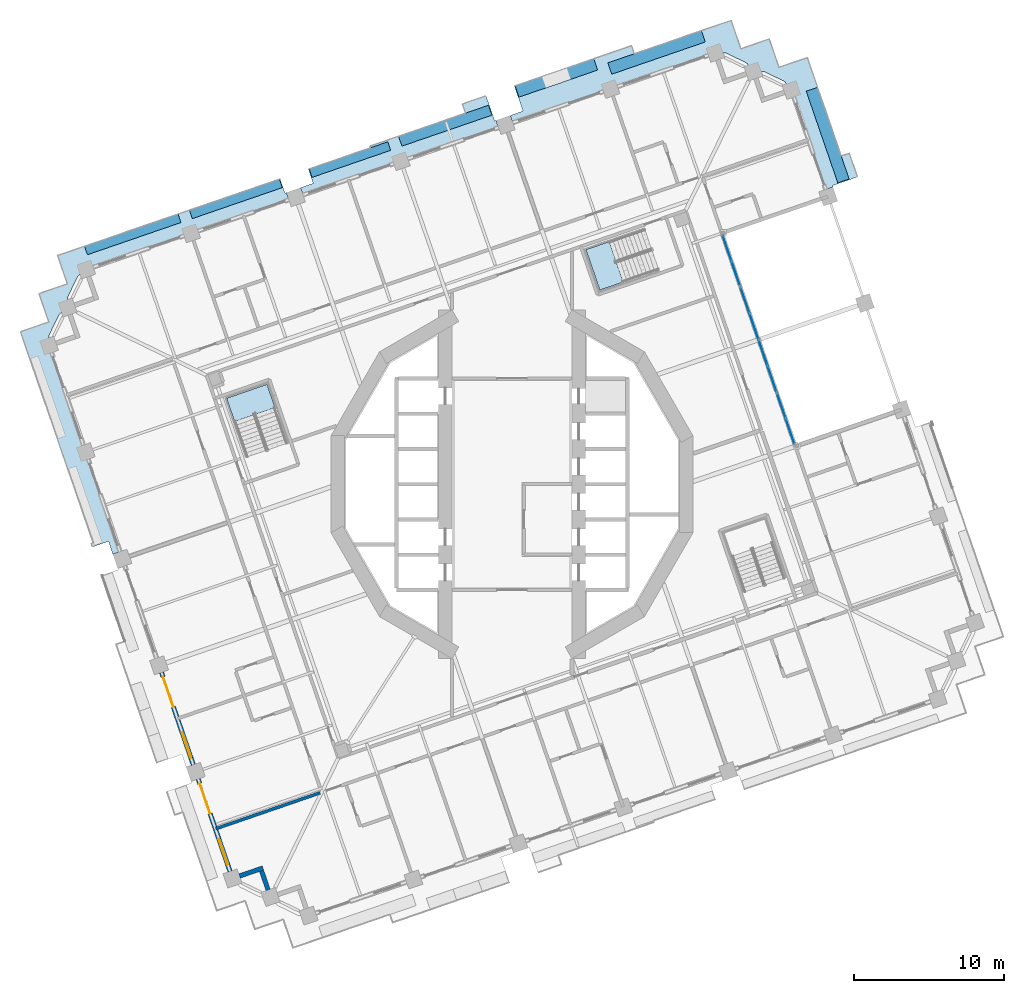
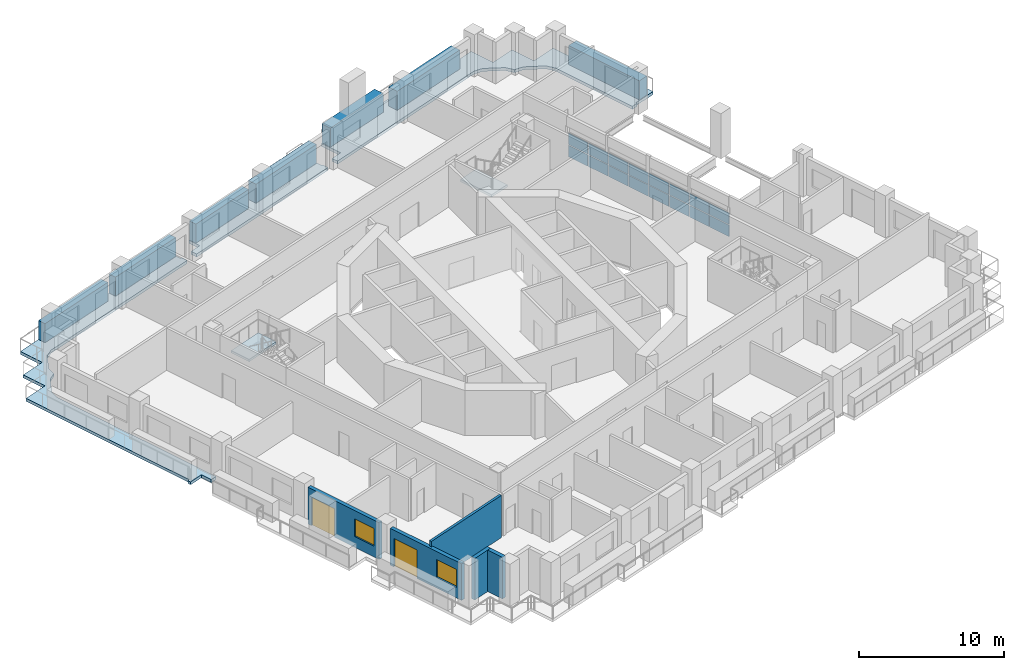
# One storey, part 6 of 19: 23 plates, 5 slabs, 5 walls, 2 doors, 2 windows, 4 openings, 3 elements without a shape of their own.
"""IFC4 building model written with IfcOpenShell, lengths in metres."""

import ifcopenshell
import ifcopenshell.guid

model = None  # the IFC model being written
_history = None  # IfcOwnerHistory: only IFC2X3 demands one
_inside = {}  # id of a spatial element -> (the spatial element, [elements in it])
_under = {}  # id of a project, library or spatial element -> (it, [spatial elements below it])
_declared = {}  # id of a project -> (the project, [libraries it declares])
_typed = {}  # id of a type object -> (the type object, [elements of that type])
_made_of = {}  # id of a material, layer set ... -> (it, [elements and type objects made of it])


def new_model(schema):
    """Start an empty IFC model of exactly this schema.

    Asked for "IFC4X3", IfcOpenShell would pick the latest addendum, in which some entities
    have other attributes; the version numbers below select the first issue.
    IFC2X3 requires an IfcOwnerHistory on every rooted entity: one is made here for all.
    """
    global model, _history
    if schema == "IFC4X3":
        model = ifcopenshell.file(schema_version=(4, 3, 0, 0))
    else:
        model = ifcopenshell.file(schema=schema)
    _inside.clear()
    _under.clear()
    _declared.clear()
    _typed.clear()
    _made_of.clear()
    _history = None
    if model.schema == "IFC2X3":
        org = make("IfcOrganization", Name="unknown")
        user = make(
            "IfcPersonAndOrganization",
            ThePerson=make("IfcPerson", FamilyName="unknown"),
            TheOrganization=org,
        )
        app = make(
            "IfcApplication",
            ApplicationDeveloper=org,
            Version="unknown",
            ApplicationFullName="unknown",
            ApplicationIdentifier="unknown",
        )
        _history = make(
            "IfcOwnerHistory",
            OwningUser=user,
            OwningApplication=app,
            ChangeAction="ADDED",
            CreationDate=0,
        )
    return model


def make(cls, **values):
    """One entity of the class cls with the attributes given. An attribute that is None is left unset."""
    return model.create_entity(
        cls, **{name: value for name, value in values.items() if value is not None}
    )


def rooted(cls, **values):
    """An entity with a GlobalId (a new one), such as an element, a storey or a relation."""
    return make(cls, GlobalId=ifcopenshell.guid.new(), OwnerHistory=_history, **values)


def si_unit(unit_type, name, prefix=None):
    """IfcSIUnit, for example si_unit("LENGTHUNIT", "METRE", prefix="MILLI")."""
    return make("IfcSIUnit", UnitType=unit_type, Prefix=prefix, Name=name)


def assignment(units):
    """IfcUnitAssignment: the units of a project."""
    return None if units is None else make("IfcUnitAssignment", Units=units)


def point(xyz):
    """IfcCartesianPoint."""
    return None if xyz is None else make("IfcCartesianPoint", Coordinates=xyz)


def direction(xyz):
    """IfcDirection."""
    return None if xyz is None else make("IfcDirection", DirectionRatios=xyz)


def frame(location, z_axis=None, x_axis=None):
    """IfcAxis2Placement3D, a coordinate frame: its origin and axes. An axis left out is left unset."""
    return make(
        "IfcAxis2Placement3D",
        Location=point(location),
        Axis=direction(z_axis),
        RefDirection=direction(x_axis),
    )


def frame_2d(location, x_axis=None):
    """IfcAxis2Placement2D, a coordinate frame in the plane: its origin and x axis."""
    return make(
        "IfcAxis2Placement2D", Location=point(location), RefDirection=direction(x_axis)
    )


def origin():
    """The frame at (0, 0, 0) with its axes left unset."""
    return frame((0.0, 0.0, 0.0))


def origin_2d():
    """The frame at (0, 0) in the plane with its x axis left unset."""
    return frame_2d((0.0, 0.0))


def place(relative_to, where):
    """IfcLocalPlacement: puts the frame where relative to a parent placement (None: the world)."""
    return make(
        "IfcLocalPlacement", PlacementRelTo=relative_to, RelativePlacement=where
    )


def context(
    kind, dimensions, precision=None, world=None, true_north=None, identifier=None
):
    """IfcGeometricRepresentationContext, for example the 3D "Model" context."""
    return make(
        "IfcGeometricRepresentationContext",
        ContextIdentifier=identifier,
        ContextType=kind,
        CoordinateSpaceDimension=dimensions,
        Precision=precision,
        WorldCoordinateSystem=world,
        TrueNorth=true_north,
    )


def subcontext(parent, identifier, kind, view, scale=None):
    """IfcGeometricRepresentationSubContext, for example "Body" below "Model"."""
    return make(
        "IfcGeometricRepresentationSubContext",
        ContextIdentifier=identifier,
        ContextType=kind,
        ParentContext=parent,
        TargetScale=scale,
        TargetView=view,
    )


def project(units=None, contexts=None):
    """IfcProject with its units and contexts."""
    return rooted(
        "IfcProject",
        Name="project",
        RepresentationContexts=contexts,
        UnitsInContext=assignment(units),
    )


def spatial(cls, under=None, at=None, **own):
    """A site, building, storey or space (cls), placed at a placement, below another one or the project."""
    s = rooted(cls, ObjectPlacement=at, **own)
    if under is not None:
        _under.setdefault(under.id(), (under, []))[1].append(s)
    return s


def polyline(points):
    """IfcPolyline through the points."""
    return make("IfcPolyline", Points=[point(p) for p in points])


def profile(cls, at=None, kind="AREA", **sizes):
    """A parametric profile (cls). Its sizes go by their IFC names, for example OverallWidth=200.0."""
    return make(cls, ProfileType=kind, Position=at, **sizes)


def rectangle(**sizes):
    """IfcRectangleProfileDef."""
    return profile("IfcRectangleProfileDef", **sizes)


def outline(outer, holes=None, kind="AREA"):
    """IfcArbitraryClosedProfileDef: a profile drawn as a closed curve; with holes, ...WithVoids."""
    if holes is None:
        return make("IfcArbitraryClosedProfileDef", ProfileType=kind, OuterCurve=outer)
    return make(
        "IfcArbitraryProfileDefWithVoids",
        ProfileType=kind,
        OuterCurve=outer,
        InnerCurves=holes,
    )


def extrude(swept, where, along, depth):
    """IfcExtrudedAreaSolid: the profile swept, set in the frame where, extruded along a direction by depth."""
    return make(
        "IfcExtrudedAreaSolid",
        SweptArea=swept,
        Position=where,
        ExtrudedDirection=direction(along),
        Depth=depth,
    )


def shape(context_of_items, identifier, shape_type, items):
    """IfcShapeRepresentation: the items that make up one representation, for example the "Body"."""
    return make(
        "IfcShapeRepresentation",
        ContextOfItems=context_of_items,
        RepresentationIdentifier=identifier,
        RepresentationType=shape_type,
        Items=items,
    )


def material(Name=None, Category=None):
    """IfcMaterial."""
    return make("IfcMaterial", Name=Name, Category=Category)


def layer(
    of_material, thickness, ventilated=None, Name=None, Category=None, Priority=None
):
    """IfcMaterialLayer: one layer of a wall or slab, of a material (None: an air gap)."""
    return make(
        "IfcMaterialLayer",
        Material=of_material,
        LayerThickness=thickness,
        IsVentilated=ventilated,
        Name=Name,
        Category=Category,
        Priority=Priority,
    )


def layer_set(layers, Name=None):
    """IfcMaterialLayerSet."""
    return make("IfcMaterialLayerSet", MaterialLayers=layers, LayerSetName=Name)


def made_of(thing, what):
    """Note that an element or type object is made of a material, layer set ...; save() writes the relation."""
    if what is not None:
        _made_of.setdefault(what.id(), (what, []))[1].append(thing)
    return thing


def type_object(cls, material=None, **own):
    """A type object (cls), such as IfcWallType, which elements share."""
    return made_of(rooted(cls, **own), material)


def element(
    cls,
    number,
    at=None,
    inside=None,
    cuts=None,
    type_object=None,
    material=None,
    context=None,
    identifier="Body",
    shape_type=None,
    held_by="IfcProductDefinitionShape",
    body=None,
    shapes=None,
    **own,
):
    """One element of the class cls, such as IfcWall. Its Tag is "e" and its number.

    at: its placement. inside: the storey or other place that contains it. cuts: it is an
    opening in that element (IfcRelVoidsElement). A single representation is given by context,
    identifier, shape_type and body (its items); several are given by shapes. held_by: the class
    of the entity that holds the representations. save() writes the other relations.
    """
    e = rooted(cls, Tag="e%d" % number, ObjectPlacement=at, **own)
    if body is not None:
        shapes = [shape(context, identifier, shape_type, body)]
    if shapes is not None:
        e.Representation = make(held_by, Representations=shapes)
    if inside is not None:
        _inside.setdefault(inside.id(), (inside, []))[1].append(e)
    if cuts is not None:
        rooted(
            "IfcRelVoidsElement", RelatingBuildingElement=cuts, RelatedOpeningElement=e
        )
    if type_object is not None:
        _typed.setdefault(type_object.id(), (type_object, []))[1].append(e)
    return made_of(e, material)


def fill(opening, filler):
    """IfcRelFillsElement: the door or window that sits in an opening."""
    return rooted(
        "IfcRelFillsElement",
        RelatingOpeningElement=opening,
        RelatedBuildingElement=filler,
    )


def aggregate(whole, parts):
    """IfcRelAggregates: a whole, such as a stair, and the parts it consists of."""
    return rooted("IfcRelAggregates", RelatingObject=whole, RelatedObjects=parts)


def save(model, path):
    """Write the relations noted so far, then the file.

    IfcRelAggregates (storeys below a building ...), IfcRelContainedInSpatialStructure (elements
    in a storey), IfcRelDefinesByType, IfcRelAssociatesMaterial and IfcRelDeclares: one each for
    every whole, place, type object, material and project.
    """
    for whole, parts in _under.values():
        aggregate(whole, parts)
    for where, things in _inside.values():
        rooted(
            "IfcRelContainedInSpatialStructure",
            RelatedElements=things,
            RelatingStructure=where,
        )
    for kind, things in _typed.values():
        rooted("IfcRelDefinesByType", RelatedObjects=things, RelatingType=kind)
    for what, things in _made_of.values():
        rooted("IfcRelAssociatesMaterial", RelatedObjects=things, RelatingMaterial=what)
    for by, libraries in _declared.values():
        rooted("IfcRelDeclares", RelatingContext=by, RelatedDefinitions=libraries)
    model.write(path)


model = new_model("IFC4")

# Units and contexts
model_context = context("Model", 3, precision=1e-05, world=origin(), true_north=direction((0.0, 1.0)))
body_context = subcontext(model_context, "Body", "Model", "MODEL_VIEW")
ifc_project = project(units=[si_unit("LENGTHUNIT", "METRE"), si_unit("AREAUNIT", "SQUARE_METRE"), si_unit("VOLUMEUNIT", "CUBIC_METRE"), si_unit("PLANEANGLEUNIT", "RADIAN"), si_unit("MASSUNIT", "GRAM", prefix="KILO")], contexts=[model_context])

# Site, building, storey
site_placement = place(None, origin())
site = spatial("IfcSite", under=ifc_project, at=site_placement, CompositionType="ELEMENT")
building_placement = place(site_placement, origin())
building = spatial("IfcBuilding", under=site, at=building_placement, Name="Cantera Rosa Tower", CompositionType="ELEMENT")
storey_placement = place(building_placement, frame((0.0, 0.0, 130.699951171875)))
storey = spatial("IfcBuildingStorey", under=building, at=storey_placement, Name="L27", CompositionType="ELEMENT", Elevation=130.699951171875)

# Curtain wall, plates
ifc_material_1 = material(Name="Aluminium frame with clear glass", Category="aluminium")
curtain_wall_type = type_object("IfcCurtainWallType", Name="CW1 TERRACE POCKET GLAZING", PredefinedType="NOTDEFINED", material=ifc_material_1)
curtain_wall_placement = place(storey_placement, origin())
curtain_wall = element("IfcCurtainWall", 1, at=curtain_wall_placement, inside=storey, type_object=curtain_wall_type, Name="CW1 CW1", PredefinedType="NOTDEFINED")
ifc_material_2 = material(Name="Aluminium frame with clear glass", Category="aluminium")
ifc_layer_1 = layer(ifc_material_2, 0.028076171875)
ifc_layer_set_1 = layer_set([ifc_layer_1], Name="CW-PANEL POCKET")
plate_type_1 = type_object("IfcPlateType", Name="CW-PANEL POCKET", PredefinedType="CURTAIN_PANEL", material=ifc_layer_set_1)
plate_1_placement = place(storey_placement, frame((18.558837890625, 3.539306640625, 0.06005859375), z_axis=(0.0, 0.0, 1.0), x_axis=(-0.325568154441, 0.945518575605, 0.0)))
plate_1 = element("IfcPlate", 2, at=plate_1_placement, type_object=plate_type_1, Name="CW1 panel 1.1", PredefinedType="CURTAIN_PANEL", context=body_context, shape_type="SweptSolid", body=[
    extrude(rectangle(XDim=1.7587890625, YDim=0.028076171875, at=origin_2d()), origin(), (0.0, 0.0, 1.0), 0.9619140625),
])
plate_2_placement = place(storey_placement, frame((18.558837890625, 3.539306640625, 1.08203125), z_axis=(0.0, 0.0, 1.0), x_axis=(-0.325568154441, 0.945518575605, 0.0)))
plate_2 = element("IfcPlate", 3, at=plate_2_placement, type_object=plate_type_1, Name="CW1 panel 1.2", PredefinedType="CURTAIN_PANEL", context=body_context, shape_type="SweptSolid", body=[
    extrude(rectangle(XDim=1.7587890625, YDim=0.028076171875, at=origin_2d()), origin(), (0.0, 0.0, 1.0), 0.9619140625),
])
plate_3_placement = place(storey_placement, frame((17.9619140625, 5.273193359375, 0.06005859375), z_axis=(0.0, 0.0, 1.0), x_axis=(-0.325568154441, 0.945518575605, 0.0)))
plate_3 = element("IfcPlate", 4, at=plate_3_placement, type_object=plate_type_1, Name="CW1 panel 2.1", PredefinedType="CURTAIN_PANEL", context=body_context, shape_type="SweptSolid", body=[
    extrude(rectangle(XDim=1.788818359375, YDim=0.028076171875, at=origin_2d()), origin(), (0.0, 0.0, 1.0), 0.9619140625),
])
plate_4_placement = place(storey_placement, frame((17.9619140625, 5.273193359375, 1.08203125), z_axis=(0.0, 0.0, 1.0), x_axis=(-0.325568154441, 0.945518575605, 0.0)))
plate_4 = element("IfcPlate", 5, at=plate_4_placement, type_object=plate_type_1, Name="CW1 panel 2.2", PredefinedType="CURTAIN_PANEL", context=body_context, shape_type="SweptSolid", body=[
    extrude(rectangle(XDim=1.788818359375, YDim=0.028076171875, at=origin_2d()), origin(), (0.0, 0.0, 1.0), 0.9619140625),
])
plate_5_placement = place(storey_placement, frame((17.35986328125, 7.021240234375, 0.06005859375), z_axis=(0.0, 0.0, 1.0), x_axis=(-0.325568154441, 0.945518575605, 0.0)))
plate_5 = element("IfcPlate", 6, at=plate_5_placement, type_object=plate_type_1, Name="CW1 panel 3.1", PredefinedType="CURTAIN_PANEL", context=body_context, shape_type="SweptSolid", body=[
    extrude(rectangle(XDim=1.788818359375, YDim=0.028076171875, at=origin_2d()), origin(), (0.0, 0.0, 1.0), 0.9619140625),
])
plate_6_placement = place(storey_placement, frame((17.35986328125, 7.021240234375, 1.08203125), z_axis=(0.0, 0.0, 1.0), x_axis=(-0.325568154441, 0.945518575605, 0.0)))
plate_6 = element("IfcPlate", 7, at=plate_6_placement, type_object=plate_type_1, Name="CW1 panel 3.2", PredefinedType="CURTAIN_PANEL", context=body_context, shape_type="SweptSolid", body=[
    extrude(rectangle(XDim=1.788818359375, YDim=0.028076171875, at=origin_2d()), origin(), (0.0, 0.0, 1.0), 0.9619140625),
])
plate_7_placement = place(storey_placement, frame((16.758056640625, 8.769287109375, 0.06005859375), z_axis=(0.0, 0.0, 1.0), x_axis=(-0.325568154441, 0.945518575605, 0.0)))
plate_7 = element("IfcPlate", 8, at=plate_7_placement, type_object=plate_type_1, Name="CW1 panel 4.1", PredefinedType="CURTAIN_PANEL", context=body_context, shape_type="SweptSolid", body=[
    extrude(rectangle(XDim=1.788818359375, YDim=0.028076171875, at=origin_2d()), origin(), (0.0, 0.0, 1.0), 0.9619140625),
])
plate_8_placement = place(storey_placement, frame((16.758056640625, 8.769287109375, 1.08203125), z_axis=(0.0, 0.0, 1.0), x_axis=(-0.325568154441, 0.945518575605, 0.0)))
plate_8 = element("IfcPlate", 9, at=plate_8_placement, type_object=plate_type_1, Name="CW1 panel 4.2", PredefinedType="CURTAIN_PANEL", context=body_context, shape_type="SweptSolid", body=[
    extrude(rectangle(XDim=1.788818359375, YDim=0.028076171875, at=origin_2d()), origin(), (0.0, 0.0, 1.0), 0.9619140625),
])
plate_9_placement = place(storey_placement, frame((16.156005859375, 10.517333984375, 0.06005859375), z_axis=(0.0, 0.0, 1.0), x_axis=(-0.325568154441, 0.945518575605, 0.0)))
plate_9 = element("IfcPlate", 10, at=plate_9_placement, type_object=plate_type_1, Name="CW1 panel 5.1", PredefinedType="CURTAIN_PANEL", context=body_context, shape_type="SweptSolid", body=[
    extrude(rectangle(XDim=1.788818359375, YDim=0.028076171875, at=origin_2d()), origin(), (0.0, 0.0, 1.0), 0.9619140625),
])
plate_10_placement = place(storey_placement, frame((16.156005859375, 10.517333984375, 1.08203125), z_axis=(0.0, 0.0, 1.0), x_axis=(-0.325568154441, 0.945518575605, 0.0)))
plate_10 = element("IfcPlate", 11, at=plate_10_placement, type_object=plate_type_1, Name="CW1 panel 5.2", PredefinedType="CURTAIN_PANEL", context=body_context, shape_type="SweptSolid", body=[
    extrude(rectangle(XDim=1.788818359375, YDim=0.028076171875, at=origin_2d()), origin(), (0.0, 0.0, 1.0), 0.9619140625),
])
plate_11_placement = place(storey_placement, frame((15.55419921875, 12.265380859375, 0.06005859375), z_axis=(0.0, 0.0, 1.0), x_axis=(-0.325568154441, 0.945518575605, 0.0)))
plate_11 = element("IfcPlate", 12, at=plate_11_placement, type_object=plate_type_1, Name="CW1 panel 6.1", PredefinedType="CURTAIN_PANEL", context=body_context, shape_type="SweptSolid", body=[
    extrude(rectangle(XDim=1.788818359375, YDim=0.028076171875, at=origin_2d()), origin(), (0.0, 0.0, 1.0), 0.9619140625),
])
plate_12_placement = place(storey_placement, frame((15.55419921875, 12.265380859375, 1.08203125), z_axis=(0.0, 0.0, 1.0), x_axis=(-0.325568154441, 0.945518575605, 0.0)))
plate_12 = element("IfcPlate", 13, at=plate_12_placement, type_object=plate_type_1, Name="CW1 panel 6.2", PredefinedType="CURTAIN_PANEL", context=body_context, shape_type="SweptSolid", body=[
    extrude(rectangle(XDim=1.788818359375, YDim=0.028076171875, at=origin_2d()), origin(), (0.0, 0.0, 1.0), 0.9619140625),
])
plate_13_placement = place(storey_placement, frame((14.952392578125, 14.013427734375, 0.06005859375), z_axis=(0.0, 0.0, 1.0), x_axis=(-0.325568154441, 0.945518575605, 0.0)))
plate_13 = element("IfcPlate", 14, at=plate_13_placement, type_object=plate_type_1, Name="CW1 panel 7.1", PredefinedType="CURTAIN_PANEL", context=body_context, shape_type="SweptSolid", body=[
    extrude(rectangle(XDim=1.788818359375, YDim=0.028076171875, at=origin_2d()), origin(), (0.0, 0.0, 1.0), 0.9619140625),
])
plate_14_placement = place(storey_placement, frame((14.952392578125, 14.013427734375, 1.08203125), z_axis=(0.0, 0.0, 1.0), x_axis=(-0.325568154441, 0.945518575605, 0.0)))
plate_14 = element("IfcPlate", 15, at=plate_14_placement, type_object=plate_type_1, Name="CW1 panel 7.2", PredefinedType="CURTAIN_PANEL", context=body_context, shape_type="SweptSolid", body=[
    extrude(rectangle(XDim=1.788818359375, YDim=0.028076171875, at=origin_2d()), origin(), (0.0, 0.0, 1.0), 0.9619140625),
])
plate_15_placement = place(storey_placement, frame((14.355224609375, 15.7470703125, 0.06005859375), z_axis=(0.0, 0.0, 1.0), x_axis=(-0.325568154441, 0.945518575605, 0.0)))
plate_15 = element("IfcPlate", 16, at=plate_15_placement, type_object=plate_type_1, Name="CW1 panel 8.1", PredefinedType="CURTAIN_PANEL", context=body_context, shape_type="SweptSolid", body=[
    extrude(rectangle(XDim=1.7587890625, YDim=0.028076171875, at=origin_2d()), origin(), (0.0, 0.0, 1.0), 0.9619140625),
])
plate_16_placement = place(storey_placement, frame((14.355224609375, 15.7470703125, 1.08203125), z_axis=(0.0, 0.0, 1.0), x_axis=(-0.325568154441, 0.945518575605, 0.0)))
plate_16 = element("IfcPlate", 17, at=plate_16_placement, type_object=plate_type_1, Name="CW1 panel 8.2", PredefinedType="CURTAIN_PANEL", context=body_context, shape_type="SweptSolid", body=[
    extrude(rectangle(XDim=1.7587890625, YDim=0.028076171875, at=origin_2d()), origin(), (0.0, 0.0, 1.0), 0.9619140625),
])
aggregate(curtain_wall, [plate_1, plate_2, plate_3, plate_4, plate_5, plate_6, plate_7, plate_8, plate_9, plate_10, plate_11, plate_12, plate_13, plate_14, plate_15, plate_16])

# Slabs
ifc_material_3 = material(Name="Concrete C35/45", Category="concrete")
ifc_layer_2 = layer(ifc_material_3, 0.25)
ifc_layer_set_2 = layer_set([ifc_layer_2], Name="LOGGIA SLAB 250 C35/45")
slab_type_1 = type_object("IfcSlabType", Name="LOGGIA SLAB 250 C35/45", PredefinedType="FLOOR", material=ifc_layer_set_2)
slab_1_placement = place(storey_placement, frame((0.0, 0.0, -0.25)))
element("IfcSlab", 18, at=slab_1_placement, inside=storey, type_object=slab_type_1, Name="LOGGIA SLAB L27 1", PredefinedType="FLOOR", context=body_context, shape_type="SweptSolid", body=[
    extrude(outline(polyline([(-29.375, 0.22900390625), (-30.3515625, 3.0654296875), (-32.3115234375, 8.757568359375), (-32.7998046875, 10.17578125), (-31.381591796875, 10.6640625), (-30.908935546875, 10.826904296875), (-31.071533203125, 11.2998046875), (-31.56005859375, 12.718017578125), (-30.1416015625, 13.206298828125), (-29.6689453125, 13.369140625), (-29.831787109375, 13.841796875), (-30.320068359375, 15.260009765625), (-28.90185546875, 15.74853515625), (-23.3232421875, 17.669189453125), (-20.48681640625, 18.64599609375), (-16.326416015625, 20.07861328125), (-15.4755859375, 20.37158203125), (-15.14990234375, 19.426025390625), (-15.055419921875, 19.45849609375), (-14.892578125, 18.98583984375), (-27.55078125, 14.627197265625), (-28.41357421875, 14.330078125), (-28.922119140625, 13.91943359375), (-28.943359375, 13.898681640625), (-28.962158203125, 13.876220703125), (-28.97900390625, 13.85205078125), (-28.9931640625, 13.826171875), (-29.613037109375, 12.55517578125), (-29.62451171875, 12.528076171875), (-29.633544921875, 12.5), (-29.6396484375, 12.47119140625), (-29.642822265625, 12.44189453125), (-29.6533203125, 11.7880859375), (-30.162109375, 11.377197265625), (-30.18310546875, 11.356689453125), (-30.2021484375, 11.333984375), (-30.21875, 11.309814453125), (-30.23291015625, 11.283935546875), (-30.852783203125, 10.012939453125), (-30.864501953125, 9.98583984375), (-30.873291015625, 9.957763671875), (-30.87939453125, 9.928955078125), (-30.8828125, 9.899658203125), (-30.893310546875, 9.245849609375), (-26.159423828125, -4.501953125), (-26.63232421875, -4.664794921875), (-26.92529296875, -3.813720703125), (-28.001708984375, -4.184326171875), (-28.079345703125, -3.958984375), (-27.948486328125, -3.913818359375), (-29.375, 0.22900390625)])), origin(), (0.0, 0.0, 1.0), 0.25),
])
slab_2_placement = place(storey_placement, frame((0.0, 0.0, -0.25)))
element("IfcSlab", 19, at=slab_2_placement, inside=storey, type_object=slab_type_1, Name="LOGGIA SLAB L27 4", PredefinedType="FLOOR", context=body_context, shape_type="SweptSolid", body=[
    extrude(outline(polyline([(-9.47998046875, 22.56103515625), (-3.097900390625, 24.758544921875), (-3.309814453125, 25.37353515625), (-1.73193359375, 25.916748046875), (-1.15625, 24.244384765625), (-1.061767578125, 24.277099609375), (-0.89892578125, 23.80419921875), (-13.947021484375, 19.311279296875), (-14.10986328125, 19.7841796875), (-13.2587890625, 20.0771484375), (-13.58447265625, 21.022705078125), (-13.489990234375, 21.05517578125), (-9.44140625, 22.44921875), (-9.47998046875, 22.56103515625)])), origin(), (0.0, 0.0, 1.0), 0.25),
])
slab_3_placement = place(storey_placement, frame((0.0, 0.0, -0.25)))
element("IfcSlab", 20, at=slab_3_placement, inside=storey, type_object=slab_type_1, Name="LOGGIA SLAB L27 6", PredefinedType="FLOOR", context=body_context, shape_type="SweptSolid", body=[
    extrude(outline(polyline([(13.01416015625, 30.392822265625), (14.62158203125, 30.9462890625), (15.1748046875, 29.3388671875), (15.272705078125, 29.05517578125), (15.556396484375, 29.15283203125), (17.16357421875, 29.706298828125), (17.717041015625, 28.09912109375), (17.814697265625, 27.815185546875), (18.098388671875, 27.9130859375), (19.705810546875, 28.466552734375), (20.25927734375, 26.859130859375), (21.968017578125, 21.896240234375), (22.50830078125, 22.082275390625), (23.05224609375, 20.502197265625), (21.377685546875, 19.92529296875), (21.41015625, 19.830810546875), (20.9375, 19.668212890625), (18.948974609375, 25.443115234375), (18.65185546875, 26.3056640625), (18.240966796875, 26.814453125), (18.220458984375, 26.83544921875), (18.197998046875, 26.8544921875), (18.173583984375, 26.87109375), (18.14794921875, 26.88525390625), (16.876708984375, 27.505126953125), (16.849609375, 27.516845703125), (16.82177734375, 27.525634765625), (16.79296875, 27.53173828125), (16.763671875, 27.534912109375), (16.109619140625, 27.54541015625), (15.698974609375, 28.05419921875), (15.67822265625, 28.075439453125), (15.65576171875, 28.09423828125), (15.631591796875, 28.111083984375), (15.605712890625, 28.125), (14.334716796875, 28.7451171875), (14.3076171875, 28.756591796875), (14.279541015625, 28.765625), (14.250732421875, 28.771728515625), (14.221435546875, 28.77490234375), (13.567626953125, 28.785400390625), (0.046630859375, 24.1298828125), (-0.1162109375, 24.6025390625), (0.73486328125, 24.8955078125), (0.158935546875, 26.56787109375), (7.977294921875, 29.260009765625), (8.162353515625, 28.72216796875), (13.01416015625, 30.392822265625)])), origin(), (0.0, 0.0, 1.0), 0.25),
])

# Plates
ifc_material_4 = material(Name="Cantera stone planter with soil", Category="masonry")
plate_type_2 = type_object("IfcPlateType", Name="PLANTER 600", PredefinedType="USERDEFINED", material=ifc_material_4)
plate_17_placement = place(storey_placement, frame((-10.815673828125, 21.65869140625, 0.0), z_axis=(0.0, 0.0, 1.0), x_axis=(-0.945518575599, -0.325568154457, 0.0)))
element("IfcPlate", 21, at=plate_17_placement, inside=storey, type_object=plate_type_2, Name="PLANTER L27-09", ObjectType="PLANTER", PredefinedType="USERDEFINED", context=body_context, shape_type="SweptSolid", body=[
    extrude(rectangle(XDim=5.550048828125, YDim=0.60009765625, at=origin_2d()), origin(), (0.0, 0.0, 1.0), 1.60009765625),
])
plate_18_placement = place(storey_placement, frame((-18.427001953125, 19.037841796875, 0.0), z_axis=(0.0, 0.0, 1.0), x_axis=(-0.945518575599, -0.325568154457, 0.0)))
element("IfcPlate", 22, at=plate_18_placement, inside=storey, type_object=plate_type_2, Name="PLANTER L27-10", ObjectType="PLANTER", PredefinedType="USERDEFINED", context=body_context, shape_type="SweptSolid", body=[
    extrude(rectangle(XDim=6.35009765625, YDim=0.60009765625, at=origin_2d()), origin(), (0.0, 0.0, 1.0), 1.60009765625),
])
plate_19_placement = place(storey_placement, frame((-25.3056640625, 16.66943359375, 0.0), z_axis=(0.0, 0.0, 1.0), x_axis=(-0.945518575599, -0.325568154457, 0.0)))
element("IfcPlate", 23, at=plate_19_placement, inside=storey, type_object=plate_type_2, Name="PLANTER L27-11", ObjectType="PLANTER", PredefinedType="USERDEFINED", context=body_context, shape_type="SweptSolid", body=[
    extrude(rectangle(XDim=6.60009765625, YDim=0.60009765625, at=origin_2d()), origin(), (0.0, 0.0, 1.0), 1.60009765625),
])
ifc_material_5 = material(Name="Cantera stone planter with soil", Category="masonry")
plate_type_3 = type_object("IfcPlateType", Name="PLANTER 700", PredefinedType="USERDEFINED", material=ifc_material_5)
plate_20_placement = place(storey_placement, frame((-4.45556640625, 23.9208984375, 0.0), z_axis=(0.0, 0.0, 1.0), x_axis=(-0.945518575599, -0.325568154457, 0.0)))
element("IfcPlate", 24, at=plate_20_placement, inside=storey, type_object=plate_type_3, Name="PLANTER L27-08", ObjectType="PLANTER", PredefinedType="USERDEFINED", context=body_context, shape_type="SweptSolid", body=[
    extrude(rectangle(XDim=6.35009765625, YDim=0.699951171875, at=origin_2d()), origin(), (0.0, 0.0, 1.0), 1.60009765625),
])
ifc_material_6 = material(Name="Cantera stone planter with soil", Category="masonry")
plate_type_4 = type_object("IfcPlateType", Name="PLANTER 800", PredefinedType="USERDEFINED", material=ifc_material_6)
plate_21_placement = place(storey_placement, frame((21.064453125, 23.2919921875, 0.0), z_axis=(0.0, 0.0, 1.0), x_axis=(-0.325568154457, 0.945518575599, 0.0)))
element("IfcPlate", 25, at=plate_21_placement, inside=storey, type_object=plate_type_4, Name="PLANTER L27-05", ObjectType="PLANTER", PredefinedType="USERDEFINED", context=body_context, shape_type="SweptSolid", body=[
    extrude(rectangle(XDim=6.469970703125, YDim=0.800048828125, at=origin_2d()), origin(), (0.0, 0.0, 1.0), 1.60009765625),
])
plate_22_placement = place(storey_placement, frame((9.64599609375, 28.81005859375, 0.0), z_axis=(0.0, 0.0, 1.0), x_axis=(-0.945518575599, -0.325568154457, 0.0)))
element("IfcPlate", 26, at=plate_22_placement, inside=storey, type_object=plate_type_4, Name="PLANTER L27-06", ObjectType="PLANTER", PredefinedType="USERDEFINED", context=body_context, shape_type="SweptSolid", body=[
    extrude(rectangle(XDim=6.60009765625, YDim=0.800048828125, at=origin_2d()), origin(), (0.0, 0.0, 1.0), 1.60009765625),
])
plate_23_placement = place(storey_placement, frame((2.960205078125, 27.109375, 0.0), z_axis=(0.0, 0.0, 1.0), x_axis=(-0.945518575599, -0.325568154457, 0.0)))
element("IfcPlate", 27, at=plate_23_placement, inside=storey, type_object=plate_type_4, Name="PLANTER L27-07", ObjectType="PLANTER", PredefinedType="USERDEFINED", context=body_context, shape_type="SweptSolid", body=[
    extrude(rectangle(XDim=5.550048828125, YDim=0.800048828125, at=origin_2d()), origin(), (0.0, 0.0, 1.0), 1.60009765625),
])

# Stair, slab
ifc_material_7 = material(Name="Concrete C35/45", Category="concrete")
stair_type = type_object("IfcStairType", Name="EXIT STAIR 1350 DOGLEG", PredefinedType="HALF_TURN_STAIR", material=ifc_material_7)
stair_1_placement = place(storey_placement, origin())
stair_1 = element("IfcStair", 28, at=stair_1_placement, inside=storey, type_object=stair_type, Name="L27 ST-21", PredefinedType="HALF_TURN_STAIR")
ifc_material_8 = material(Name="Concrete C35/45", Category="concrete")
ifc_layer_3 = layer(ifc_material_8, 0.199951171875)
ifc_layer_set_3 = layer_set([ifc_layer_3], Name="STAIR LANDING 200")
slab_type_2 = type_object("IfcSlabType", Name="STAIR LANDING 200", PredefinedType="LANDING", material=ifc_layer_set_3)
slab_4_placement = place(storey_placement, frame((0.0, 0.0, 1.699951171875)))
slab_4 = element("IfcSlab", 29, at=slab_4_placement, type_object=slab_type_2, Name="ST-21 landing 1", PredefinedType="LANDING", context=body_context, shape_type="SweptSolid", body=[
    extrude(outline(polyline([(6.488525390625, 16.1865234375), (4.935791015625, 15.652099609375), (5.86376953125, 12.957275390625), (7.416259765625, 13.491943359375), (6.488525390625, 16.1865234375)])), origin(), (0.0, 0.0, 1.0), 0.2001953125),
])
aggregate(stair_1, [slab_4])

stair_2_placement = place(storey_placement, origin())
stair_2 = element("IfcStair", 30, at=stair_2_placement, inside=storey, type_object=stair_type, Name="L27 ST-22", PredefinedType="HALF_TURN_STAIR")
slab_5_placement = place(storey_placement, frame((0.0, 0.0, 1.699951171875)))
slab_5 = element("IfcSlab", 31, at=slab_5_placement, type_object=slab_type_2, Name="ST-22 landing 1", PredefinedType="LANDING", context=body_context, shape_type="SweptSolid", body=[
    extrude(outline(polyline([(-15.8134765625, 5.111572265625), (-16.347900390625, 6.6640625), (-19.042724609375, 5.736328125), (-18.508056640625, 4.18359375), (-15.8134765625, 5.111572265625)])), origin(), (0.0, 0.0, 1.0), 0.2001953125),
])
aggregate(stair_2, [slab_5])

# Walls
ifc_material_9 = material(Name="Hollow clay masonry with cantera stone cladding", Category="masonry")
ifc_layer_4 = layer(ifc_material_9, 0.300048828125)
ifc_layer_set_4 = layer_set([ifc_layer_4], Name="EW-LOGGIA 300")
wall_type_1 = type_object("IfcWallType", Name="EW-LOGGIA 300", PredefinedType="SOLIDWALL", material=ifc_layer_set_4)
wall_1_placement = place(storey_placement, frame((-18.17919921875, -26.142822265625, 0.0), z_axis=(0.0, 0.0, 1.0), x_axis=(0.945530119553, 0.32553462645, 0.0)))
element("IfcWall", 32, at=wall_1_placement, inside=storey, type_object=wall_type_1, Name="EN-L27-W21a", PredefinedType="SOLIDWALL", context=body_context, shape_type="SweptSolid", body=[
    extrude(rectangle(XDim=1.64990234375, YDim=0.300048828125, at=frame_2d((0.824951171875, 0.0))), origin(), (0.0, 0.0, 1.0), 3.5),
])
wall_2_placement = place(storey_placement, frame((-16.7119140625, -25.79638671875, 0.0), z_axis=(0.0, 0.0, 1.0), x_axis=(0.325544748006, -0.945526634763, 0.0)))
element("IfcWall", 33, at=wall_2_placement, inside=storey, type_object=wall_type_1, Name="EN-L27-W21b", PredefinedType="SOLIDWALL", context=body_context, shape_type="SweptSolid", body=[
    extrude(rectangle(XDim=1.349853515625, YDim=0.300048828125, at=frame_2d((0.6748046875, 0.0))), origin(), (0.0, 0.0, 1.0), 3.5),
])

# Wall, openings, window, door
ifc_material_10 = material(Name="Hollow clay masonry with cantera stone cladding", Category="masonry")
ifc_layer_5 = layer(ifc_material_10, 0.300048828125)
ifc_layer_set_5 = layer_set([ifc_layer_5], Name="EW-LOGGIA 300 H3090")
wall_type_2 = type_object("IfcWallType", Name="EW-LOGGIA 300 H3090", PredefinedType="SOLIDWALL", material=ifc_layer_set_5)
wall_3_placement = place(storey_placement, frame((-23.3857421875, -12.557861328125, 0.0), z_axis=(0.0, 0.0, 1.0), x_axis=(0.325580990241, -0.945514155787, 0.0)))
wall_3 = element("IfcWall", 34, at=wall_3_placement, inside=storey, type_object=wall_type_2, Name="EN-L27-W19", PredefinedType="SOLIDWALL", context=body_context, shape_type="SweptSolid", body=[
    extrude(rectangle(XDim=6.52001953125, YDim=0.300048828125, at=frame_2d((3.260009765625, 0.0))), origin(), (0.0, 0.0, 1.0), 3.090087890625),
])
opening_1_placement = place(wall_3_placement, frame((0.330078125, 0.0, 0.0)))
opening_1 = element("IfcOpeningElement", 35, at=opening_1_placement, cuts=wall_3, Name="Opening L27-TD25", PredefinedType="OPENING", context=body_context, shape_type="SweptSolid", body=[
    extrude(rectangle(XDim=2.10009765625, YDim=2.39990234375, at=frame_2d((1.050048828125, 1.199951171875))), frame((0.0, 0.159912109375, 0.0), z_axis=(0.0, -1.0, 0.0), x_axis=(1.0, 0.0, 0.0)), (0.0, 0.0, 1.0), 0.320068359375),
])
opening_2_placement = place(wall_3_placement, frame((4.239990234375, 0.0, 0.89990234375)))
opening_2 = element("IfcOpeningElement", 36, at=opening_2_placement, cuts=wall_3, Name="Opening L27-W26", PredefinedType="OPENING", context=body_context, shape_type="SweptSolid", body=[
    extrude(rectangle(XDim=1.800048828125, YDim=1.5, at=frame_2d((0.89990234375, 0.75))), frame((0.0, 0.159912109375, 0.0), z_axis=(0.0, -1.0, 0.0), x_axis=(1.0, 0.0, 0.0)), (0.0, 0.0, 1.0), 0.320068359375),
])
ifc_material_11 = material(Name="Aluminium frame with clear glass", Category="aluminium")
window_type = type_object("IfcWindowType", Name="Hotel room window 1800x1500", PartitioningType="DOUBLE_PANEL_VERTICAL", PredefinedType="WINDOW", material=ifc_material_11)
window_1_placement = place(opening_2_placement, origin())
window_1 = element("IfcWindow", 37, at=window_1_placement, inside=storey, type_object=window_type, Name="WINDOW L27-W26", OverallHeight=1.5, OverallWidth=1.800048828125, PartitioningType="SINGLE_PANEL", PredefinedType="WINDOW", context=body_context, shape_type="SweptSolid", body=[
    extrude(rectangle(XDim=1.800048828125, YDim=1.5, at=frame_2d((0.89990234375, 0.75))), frame((0.0, 0.030029296875, 0.0), z_axis=(0.0, -1.0, 0.0), x_axis=(1.0, 0.0, 0.0)), (0.0, 0.0, 1.0), 0.06005859375),
])
fill(opening_2, window_1)
ifc_material_12 = material(Name="Aluminium frame with clear glass", Category="aluminium")
door_type = type_object("IfcDoorType", Name="TD-H 2100x2400", OperationType="NOTDEFINED", PredefinedType="DOOR", material=ifc_material_12)
door_1_placement = place(opening_1_placement, origin())
door_1 = element("IfcDoor", 38, at=door_1_placement, inside=storey, type_object=door_type, Name="LOGGIA DOOR L27-TD25", OperationType="SLIDING_TO_LEFT", OverallHeight=2.39990234375, OverallWidth=2.10009765625, PredefinedType="DOOR", context=body_context, shape_type="SweptSolid", body=[
    extrude(rectangle(XDim=2.10009765625, YDim=2.39990234375, at=frame_2d((1.050048828125, 1.199951171875))), frame((0.0, 0.02490234375, 0.0), z_axis=(0.0, -1.0, 0.0), x_axis=(1.0, 0.0, 0.0)), (0.0, 0.0, 1.0), 0.050048828125),
])
fill(opening_1, door_1)

wall_4_placement = place(storey_placement, frame((-20.9375, -19.668212890625, 0.0), z_axis=(0.0, 0.0, 1.0), x_axis=(0.325592517631, -0.945510186335, 0.0)))
wall_4 = element("IfcWall", 39, at=wall_4_placement, inside=storey, type_object=wall_type_2, Name="EN-L27-W20", PredefinedType="SOLIDWALL", context=body_context, shape_type="SweptSolid", body=[
    extrude(rectangle(XDim=6.519775390625, YDim=0.300048828125, at=frame_2d((3.259765625, 0.0))), origin(), (0.0, 0.0, 1.0), 3.090087890625),
])
opening_3_placement = place(wall_4_placement, frame((0.330078125, 0.0, 0.0)))
opening_3 = element("IfcOpeningElement", 40, at=opening_3_placement, cuts=wall_4, Name="Opening L27-TD27", PredefinedType="OPENING", context=body_context, shape_type="SweptSolid", body=[
    extrude(rectangle(XDim=2.10009765625, YDim=2.39990234375, at=frame_2d((1.050048828125, 1.199951171875))), frame((0.0, 0.159912109375, 0.0), z_axis=(0.0, -1.0, 0.0), x_axis=(1.0, 0.0, 0.0)), (0.0, 0.0, 1.0), 0.320068359375),
])
opening_4_placement = place(wall_4_placement, frame((4.239990234375, 0.0, 0.89990234375)))
opening_4 = element("IfcOpeningElement", 41, at=opening_4_placement, cuts=wall_4, Name="Opening L27-W28", PredefinedType="OPENING", context=body_context, shape_type="SweptSolid", body=[
    extrude(rectangle(XDim=1.800048828125, YDim=1.5, at=frame_2d((0.89990234375, 0.75))), frame((0.0, 0.159912109375, 0.0), z_axis=(0.0, -1.0, 0.0), x_axis=(1.0, 0.0, 0.0)), (0.0, 0.0, 1.0), 0.320068359375),
])
window_2_placement = place(opening_4_placement, origin())
window_2 = element("IfcWindow", 42, at=window_2_placement, inside=storey, type_object=window_type, Name="WINDOW L27-W28", OverallHeight=1.5, OverallWidth=1.800048828125, PartitioningType="SINGLE_PANEL", PredefinedType="WINDOW", context=body_context, shape_type="SweptSolid", body=[
    extrude(rectangle(XDim=1.800048828125, YDim=1.5, at=frame_2d((0.89990234375, 0.75))), frame((0.0, 0.030029296875, 0.0), z_axis=(0.0, -1.0, 0.0), x_axis=(1.0, 0.0, 0.0)), (0.0, 0.0, 1.0), 0.06005859375),
])
fill(opening_4, window_2)
door_2_placement = place(opening_3_placement, origin())
door_2 = element("IfcDoor", 43, at=door_2_placement, inside=storey, type_object=door_type, Name="LOGGIA DOOR L27-TD27", OperationType="SLIDING_TO_LEFT", OverallHeight=2.39990234375, OverallWidth=2.10009765625, PredefinedType="DOOR", context=body_context, shape_type="SweptSolid", body=[
    extrude(rectangle(XDim=2.10009765625, YDim=2.39990234375, at=frame_2d((1.050048828125, 1.199951171875))), frame((0.0, 0.02490234375, 0.0), z_axis=(0.0, -1.0, 0.0), x_axis=(1.0, 0.0, 0.0)), (0.0, 0.0, 1.0), 0.050048828125),
])
fill(opening_3, door_2)

# Wall
ifc_material_13 = material(Name="Gypsum board partition")
ifc_layer_6 = layer(ifc_material_13, 0.199951171875)
ifc_layer_set_6 = layer_set([ifc_layer_6], Name="PARTY WALL 200 H3550")
wall_type_3 = type_object("IfcWallType", Name="PARTY WALL 200 H3550", PredefinedType="PARTITIONING", material=ifc_layer_set_6)
wall_5_placement = place(storey_placement, frame((-19.762939453125, -22.986572265625, 0.0), z_axis=(0.0, 0.0, 1.0), x_axis=(0.945511269654, 0.32558937169, 0.0)))
element("IfcWall", 44, at=wall_5_placement, inside=storey, type_object=wall_type_3, Name="PARTY WALL L27-006", PredefinedType="PARTITIONING", context=body_context, shape_type="SweptSolid", body=[
    extrude(rectangle(XDim=7.349853515625, YDim=0.199951171875, at=frame_2d((3.6748046875, 0.0))), origin(), (0.0, 0.0, 1.0), 3.550048828125),
])

save(model, "model.ifc")
